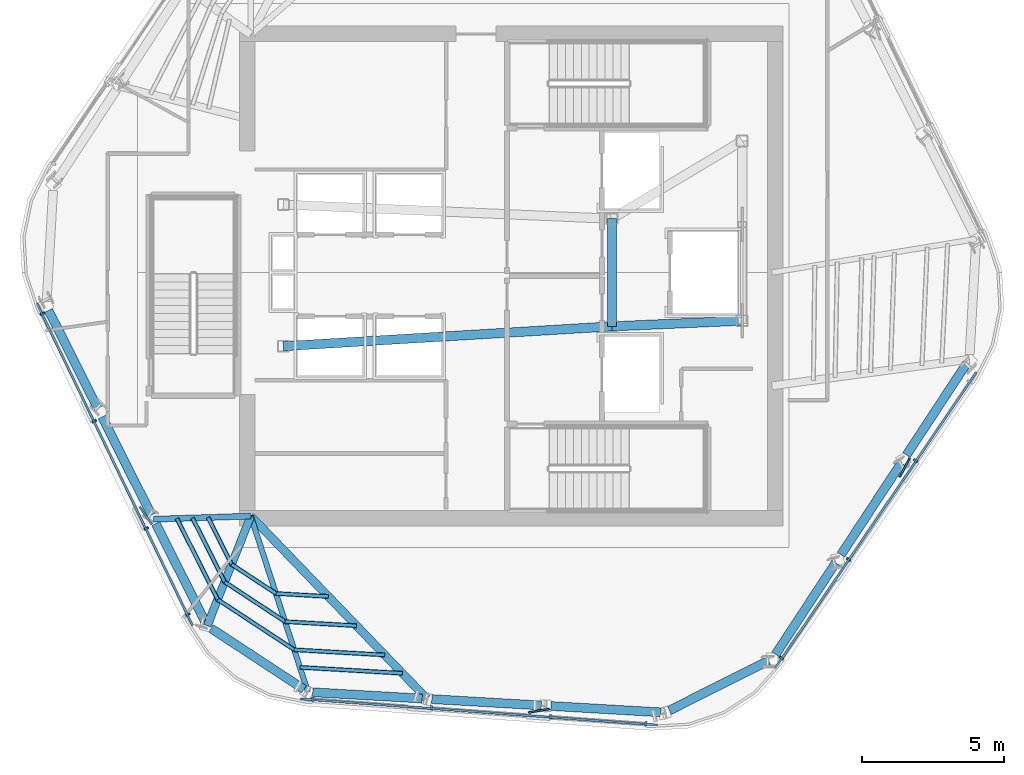
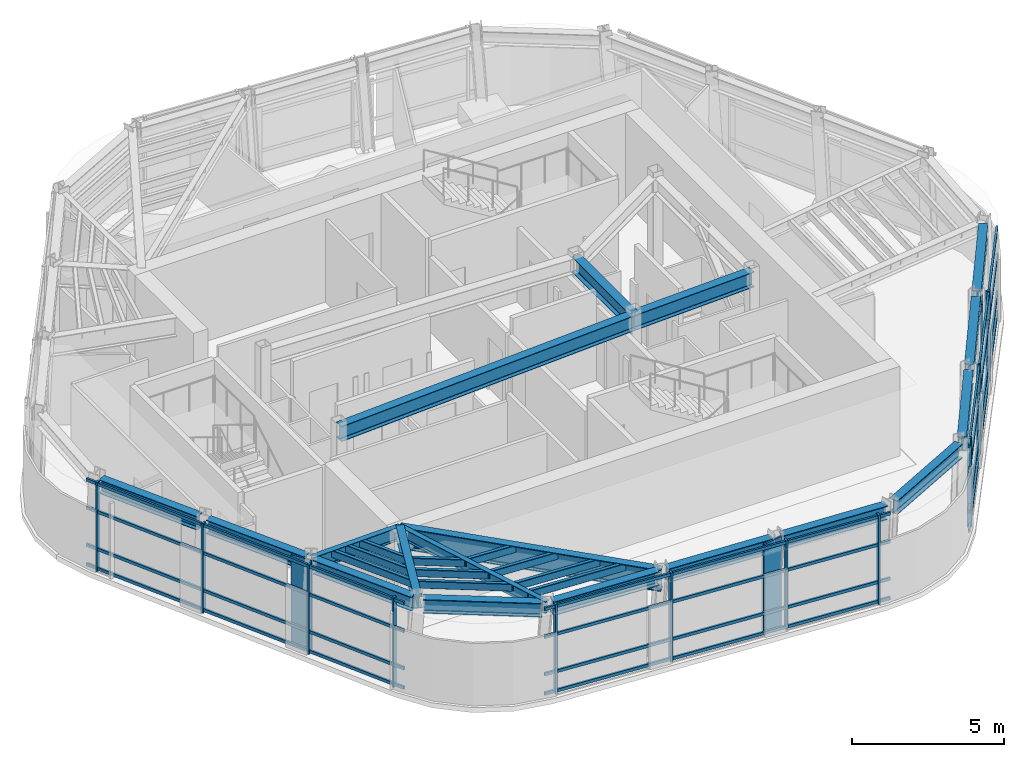
# One storey, part 2 of 11: 36 members, 18 beams, 3 elements without a shape of their own.
"""IFC4 building model written with IfcOpenShell, lengths in metres."""

from ifc_helpers import new_model, si_unit, direction, frame, origin, origin_2d, place, context, subcontext, project, spatial, rectangle, hollow_rectangle, i_section, extrude, material, layer, layer_set, material_profile, profile_set, type_object, element, aggregate, save


model = new_model("IFC4")

# Units and contexts
model_context = context("Model", 3, precision=1e-05, world=origin(), true_north=direction((0.0, 1.0)))
body_context = subcontext(model_context, "Body", "Model", "MODEL_VIEW")
ifc_project = project(units=[si_unit("LENGTHUNIT", "METRE"), si_unit("AREAUNIT", "SQUARE_METRE"), si_unit("VOLUMEUNIT", "CUBIC_METRE"), si_unit("PLANEANGLEUNIT", "RADIAN"), si_unit("MASSUNIT", "GRAM", prefix="KILO")], contexts=[model_context])

# Site, building, storey
site_placement = place(None, origin())
site = spatial("IfcSite", under=ifc_project, at=site_placement, CompositionType="ELEMENT")
building_placement = place(site_placement, origin())
building = spatial("IfcBuilding", under=site, at=building_placement, Name="Valkerne Bourse Tower", CompositionType="ELEMENT")
storey_placement = place(building_placement, frame((0.0, 0.0, 266.0)))
storey = spatial("IfcBuildingStorey", under=building, at=storey_placement, Name="L67", CompositionType="ELEMENT", Elevation=266.0)

# Beams
ifc_material_1 = material(Name="Steel ASTM A992", Category="steel")
ifc_material_profile_1 = material_profile(ifc_material_1, i_section(OverallWidth=0.1904296875, OverallDepth=0.457275390625, WebThickness=0.009033203125, FlangeThickness=0.014404296875, FilletRadius=0.01513671875, at=origin_2d()), Name="W18X50")
ifc_profile_set_1 = profile_set([ifc_material_profile_1], Name="Steel ASTM A992")
beam_type_1 = type_object("IfcBeamType", Name="BM-W18X50", PredefinedType="JOIST", material=ifc_profile_set_1)
beam_1_placement = place(storey_placement, frame((39.61767578125, 12.190185546875, 3.371337890625), z_axis=(-0.309005749697, 0.951060169839, 0.0), x_axis=(-0.951060169839, -0.309005749697, 0.0)))
element("IfcBeam", 1, at=beam_1_placement, inside=storey, type_object=beam_type_1, Name="L67 Radial Composite Floor Beam 12", PredefinedType="JOIST", context=body_context, shape_type="SweptSolid", body=[
    extrude(i_section(OverallWidth=0.1904296875, OverallDepth=0.457275390625, WebThickness=0.009033203125, FlangeThickness=0.014404296875, FilletRadius=0.01513671875, at=origin_2d()), origin(), (0.0, 0.0, 1.0), 6.529296875),
])
ifc_material_profile_2 = material_profile(ifc_material_1, i_section(OverallWidth=0.279296875, OverallDepth=0.46240234375, WebThickness=0.0107421875, FlangeThickness=0.017333984375, FilletRadius=0.017822265625, at=origin_2d()), Name="W18X76")
ifc_profile_set_2 = profile_set([ifc_material_profile_2], Name="Steel ASTM A992")
beam_type_2 = type_object("IfcBeamType", Name="BM-W18X76", PredefinedType="BEAM", material=ifc_profile_set_2)
beam_2_placement = place(storey_placement, frame((36.060791015625, 14.526611328125, 3.368896484375), z_axis=(0.369319407169, 0.929302520974, 0.0), x_axis=(-0.929302520974, 0.369319407169, 0.0)))
element("IfcBeam", 2, at=beam_2_placement, inside=storey, type_object=beam_type_2, Name="L67 Radial Composite Floor Beam 11", PredefinedType="BEAM", context=body_context, shape_type="SweptSolid", body=[
    extrude(i_section(OverallWidth=0.279296875, OverallDepth=0.46240234375, WebThickness=0.0107421875, FlangeThickness=0.017333984375, FilletRadius=0.017822265625, at=origin_2d()), origin(), (0.0, 0.0, 1.0), 4.16796875),
])
ifc_material_profile_3 = material_profile(ifc_material_1, i_section(OverallWidth=0.31494140625, OverallDepth=0.5537109375, WebThickness=0.0166015625, FlangeThickness=0.026123046875, FilletRadius=0.020263671875, at=origin_2d()), Name="W21X132")
ifc_profile_set_3 = profile_set([ifc_material_profile_3], Name="Steel ASTM A992")
beam_type_3 = type_object("IfcBeamType", Name="BM-W21X132", PredefinedType="BEAM", material=ifc_profile_set_3)
for number, where, z_axis, x_axis, name in (
    (3, (30.45947265625, 25.663330078125, 3.322998046875), (0.449330993887, -0.893365355234, 0.0), (0.893365355234, 0.449330993887, 0.0), "L67 Hexagonal Spandrel Ring Beam 08"),
    (4, (32.35205078125, 21.900390625, 3.322998046875), (0.449330993887, -0.893365355234, 0.0), (0.893365355234, 0.449330993887, 0.0), "L67 Hexagonal Spandrel Ring Beam 09"),
):
    element("IfcBeam", number, at=place(storey_placement, frame(where, z_axis=z_axis, x_axis=x_axis)), inside=storey, type_object=beam_type_3, Name=name, PredefinedType="BEAM", context=body_context, shape_type="SweptSolid", body=[
        extrude(i_section(OverallWidth=0.31494140625, OverallDepth=0.5537109375, WebThickness=0.0166015625, FlangeThickness=0.026123046875, FilletRadius=0.020263671875, at=origin_2d()), origin(), (0.0, 0.0, 1.0), 3.871826171875),
    ])
beam_3_placement = place(storey_placement, frame((34.244384765625, 18.1376953125, 3.322998046875), z_axis=(0.44935600462, -0.893352775286, 0.0), x_axis=(0.893352775286, 0.44935600462, 0.0)))
element("IfcBeam", 5, at=beam_3_placement, inside=storey, type_object=beam_type_3, Name="L67 Hexagonal Spandrel Ring Beam 10", PredefinedType="BEAM", context=body_context, shape_type="SweptSolid", body=[
    extrude(i_section(OverallWidth=0.31494140625, OverallDepth=0.5537109375, WebThickness=0.0166015625, FlangeThickness=0.026123046875, FilletRadius=0.020263671875, at=origin_2d()), origin(), (0.0, 0.0, 1.0), 3.8720703125),
])
beam_4_placement = place(storey_placement, frame((36.202880859375, 14.433349609375, 3.322998046875), z_axis=(0.835791315198, -0.54904724518, 0.0), x_axis=(0.54904724518, 0.835791315198, 0.0)))
element("IfcBeam", 6, at=beam_4_placement, inside=storey, type_object=beam_type_3, Name="L67 Hexagonal Spandrel Ring Beam 11", PredefinedType="BEAM", context=body_context, shape_type="SweptSolid", body=[
    extrude(i_section(OverallWidth=0.31494140625, OverallDepth=0.5537109375, WebThickness=0.0166015625, FlangeThickness=0.026123046875, FilletRadius=0.020263671875, at=origin_2d()), origin(), (0.0, 0.0, 1.0), 3.915771484375),
])
beam_5_placement = place(storey_placement, frame((39.787353515625, 12.180419921875, 3.322998046875), z_axis=(0.998341544959, -0.057568738113, 0.0), x_axis=(0.057568738113, 0.998341544959, 0.0)))
element("IfcBeam", 7, at=beam_5_placement, inside=storey, type_object=beam_type_3, Name="L67 Hexagonal Spandrel Ring Beam 12", PredefinedType="BEAM", context=body_context, shape_type="SweptSolid", body=[
    extrude(i_section(OverallWidth=0.31494140625, OverallDepth=0.5537109375, WebThickness=0.0166015625, FlangeThickness=0.026123046875, FilletRadius=0.020263671875, at=origin_2d()), origin(), (0.0, 0.0, 1.0), 3.871826171875),
])
for number, where, z_axis, x_axis, name in (
    (8, (43.9921875, 11.93798828125, 3.322998046875), (0.998341753912, -0.057565114394, 0.0), (0.057565114394, 0.998341753912, 0.0), "L67 Hexagonal Spandrel Ring Beam 13"),
    (9, (48.197265625, 11.6953125, 3.322998046875), (0.998345375439, -0.057502272477, 0.0), (0.057502272477, 0.998345375439, 0.0), "L67 Hexagonal Spandrel Ring Beam 14"),
):
    element("IfcBeam", number, at=place(storey_placement, frame(where, z_axis=z_axis, x_axis=x_axis)), inside=storey, type_object=beam_type_3, Name=name, PredefinedType="BEAM", context=body_context, shape_type="SweptSolid", body=[
        extrude(i_section(OverallWidth=0.31494140625, OverallDepth=0.5537109375, WebThickness=0.0166015625, FlangeThickness=0.026123046875, FilletRadius=0.020263671875, at=origin_2d()), origin(), (0.0, 0.0, 1.0), 3.8720703125),
    ])
beam_6_placement = place(storey_placement, frame((52.384521484375, 11.539306640625, 3.322998046875), z_axis=(0.89337722642, 0.449307390674, 0.0), x_axis=(-0.449307390674, 0.89337722642, 0.0)))
element("IfcBeam", 10, at=beam_6_placement, inside=storey, type_object=beam_type_3, Name="L67 Hexagonal Spandrel Ring Beam 15", PredefinedType="BEAM", context=body_context, shape_type="SweptSolid", body=[
    extrude(i_section(OverallWidth=0.31494140625, OverallDepth=0.5537109375, WebThickness=0.0166015625, FlangeThickness=0.026123046875, FilletRadius=0.020263671875, at=origin_2d()), origin(), (0.0, 0.0, 1.0), 3.91552734375),
])
for number, where, z_axis, x_axis, name in (
    (11, (56.127685546875, 13.51708984375, 3.322998046875), (0.549070935457, 0.835775752123, 0.0), (-0.835775752123, 0.549070935457, 0.0), "L67 Hexagonal Spandrel Ring Beam 16"),
    (12, (58.440185546875, 17.037353515625, 3.322998046875), (0.549042001335, 0.835794759956, 0.0), (-0.835794759956, 0.549042001335, 0.0), "L67 Hexagonal Spandrel Ring Beam 17"),
    (13, (60.752685546875, 20.557861328125, 3.322998046875), (0.549042001335, 0.835794759956, 0.0), (-0.835794759956, 0.549042001335, 0.0), "L67 Hexagonal Spandrel Ring Beam 18"),
):
    element("IfcBeam", number, at=place(storey_placement, frame(where, z_axis=z_axis, x_axis=x_axis)), inside=storey, type_object=beam_type_3, Name=name, PredefinedType="BEAM", context=body_context, shape_type="SweptSolid", body=[
        extrude(i_section(OverallWidth=0.31494140625, OverallDepth=0.5537109375, WebThickness=0.0166015625, FlangeThickness=0.026123046875, FilletRadius=0.020263671875, at=origin_2d()), origin(), (0.0, 0.0, 1.0), 3.8720703125),
    ])
ifc_material_profile_4 = material_profile(ifc_material_1, i_section(OverallWidth=0.209228515625, OverallDepth=0.533447265625, WebThickness=0.01025390625, FlangeThickness=0.015625, FilletRadius=0.017822265625, at=origin_2d()), Name="W21X62")
ifc_profile_set_4 = profile_set([ifc_material_profile_4], Name="Steel ASTM A992")
beam_type_4 = type_object("IfcBeamType", Name="BM-W21X62", PredefinedType="JOIST", material=ifc_profile_set_4)
beam_7_placement = place(storey_placement, frame((34.168212890625, 18.28955078125, 3.333251953125), z_axis=(0.999483435007, 0.032138188278, 0.0), x_axis=(-0.032138188278, 0.999483435007, 0.0)))
element("IfcBeam", 14, at=beam_7_placement, inside=storey, type_object=beam_type_4, Name="L67 Radial Composite Floor Beam 10", PredefinedType="JOIST", context=body_context, shape_type="SweptSolid", body=[
    extrude(i_section(OverallWidth=0.209228515625, OverallDepth=0.533447265625, WebThickness=0.01025390625, FlangeThickness=0.015625, FilletRadius=0.017822265625, at=origin_2d()), origin(), (0.0, 0.0, 1.0), 3.43359375),
])
ifc_material_profile_5 = material_profile(ifc_material_1, i_section(OverallWidth=0.3251953125, OverallDepth=0.612060546875, WebThickness=0.0126953125, FlangeThickness=0.01904296875, FilletRadius=0.020263671875, at=origin_2d()), Name="W24X104")
ifc_profile_set_5 = profile_set([ifc_material_profile_5], Name="Steel ASTM A992")
beam_type_5 = type_object("IfcBeamType", Name="BM-W24X104", PredefinedType="BEAM", material=ifc_profile_set_5)
beam_8_placement = place(storey_placement, frame((50.35009765625, 25.10009765625, 3.2939453125), z_axis=(0.0, 1.0, 0.0), x_axis=(-1.0, 0.0, 0.0)))
element("IfcBeam", 15, at=beam_8_placement, inside=storey, type_object=beam_type_5, Name="L67 Core Frame Girder CG-CE", PredefinedType="BEAM", context=body_context, shape_type="SweptSolid", body=[
    extrude(i_section(OverallWidth=0.3251953125, OverallDepth=0.612060546875, WebThickness=0.0126953125, FlangeThickness=0.01904296875, FilletRadius=0.020263671875, at=origin_2d()), origin(), (0.0, 0.0, 1.0), 3.7998046875),
])
beam_9_placement = place(storey_placement, frame((50.35009765625, 25.10009765625, 3.2939453125), z_axis=(0.999056558506, 0.043428019819, 0.0), x_axis=(-0.043428019819, 0.999056558506, 0.0)))
element("IfcBeam", 16, at=beam_9_placement, inside=storey, type_object=beam_type_5, Name="L67 Core Frame Girder CG-SE", PredefinedType="BEAM", context=body_context, shape_type="SweptSolid", body=[
    extrude(i_section(OverallWidth=0.3251953125, OverallDepth=0.612060546875, WebThickness=0.0126953125, FlangeThickness=0.01904296875, FilletRadius=0.020263671875, at=origin_2d()), origin(), (0.0, 0.0, 1.0), 4.604248046875),
])
beam_10_placement = place(storey_placement, frame((38.75, 24.39990234375, 3.2939453125), z_axis=(0.998183228389, 0.060251494276, 0.0), x_axis=(-0.060251494276, 0.998183228389, 0.0)))
element("IfcBeam", 17, at=beam_10_placement, inside=storey, type_object=beam_type_5, Name="L67 Core Frame Girder CG-SW", PredefinedType="BEAM", context=body_context, shape_type="SweptSolid", body=[
    extrude(i_section(OverallWidth=0.3251953125, OverallDepth=0.612060546875, WebThickness=0.0126953125, FlangeThickness=0.01904296875, FilletRadius=0.020263671875, at=origin_2d()), origin(), (0.0, 0.0, 1.0), 11.62109375),
])
ifc_material_profile_6 = material_profile(ifc_material_1, i_section(OverallWidth=0.2919921875, OverallDepth=0.8583984375, WebThickness=0.01708984375, FlangeThickness=0.031005859375, FilletRadius=0.025390625, at=origin_2d()), Name="W33X169")
ifc_profile_set_6 = profile_set([ifc_material_profile_6], Name="Steel ASTM A992")
beam_type_6 = type_object("IfcBeamType", Name="BM-W33X169", PredefinedType="BEAM", material=ifc_profile_set_6)
beam_11_placement = place(storey_placement, frame((43.822509765625, 11.94775390625, 3.170654296875), z_axis=(-0.694175893151, 0.719805410766, 0.0), x_axis=(-0.719805410766, -0.694175893151, 0.0)))
element("IfcBeam", 18, at=beam_11_placement, inside=storey, type_object=beam_type_6, Name="L67 Radial Composite Floor Beam 13", PredefinedType="BEAM", context=body_context, shape_type="SweptSolid", body=[
    extrude(i_section(OverallWidth=0.2919921875, OverallDepth=0.8583984375, WebThickness=0.01708984375, FlangeThickness=0.031005859375, FilletRadius=0.025390625, at=origin_2d()), origin(), (0.0, 0.0, 1.0), 8.963623046875),
])

# Curtain wall, members
ifc_material_2 = material(Name="Aluminium AA 6063-T6", Category="aluminium")
ifc_layer = layer(ifc_material_2, 0.2451171875)
ifc_layer_set = layer_set([ifc_layer], Name="Aluminium AA 6063-T6")
curtain_wall_type = type_object("IfcCurtainWallType", Name="CW-05", PredefinedType="NOTDEFINED", material=ifc_layer_set)
curtain_wall_1_placement = place(storey_placement, origin())
curtain_wall_1 = element("IfcCurtainWall", 19, at=curtain_wall_1_placement, inside=storey, type_object=curtain_wall_type, Name="L67 Hexagonal Stick Curtain Wall Face 3", PredefinedType="NOTDEFINED")
ifc_material_profile_7 = material_profile(ifc_material_2, rectangle(XDim=0.074951171875, YDim=0.159912109375, at=origin_2d()), Name="CWM-75X160")
ifc_profile_set_7 = profile_set([ifc_material_profile_7], Name="Aluminium AA 6063-T6")
member_type_1 = type_object("IfcMemberType", Name="CW-MUL-160X75", PredefinedType="MULLION", material=ifc_profile_set_7)
member_1_placement = place(storey_placement, frame((30.2431640625, 25.547119140625, 0.0), z_axis=(0.0, 0.0, 1.0), x_axis=(0.435236340533, -0.900316237707, 0.0)))
member_1 = element("IfcMember", 20, at=member_1_placement, type_object=member_type_1, Name="CW-L67-F3 Jamb Mullion 00A", PredefinedType="MULLION", context=body_context, shape_type="SweptSolid", body=[
    extrude(rectangle(XDim=0.074951171875, YDim=0.159912109375, at=origin_2d()), origin(), (0.0, 0.0, 1.0), 3.60009765625),
])
member_2_placement = place(storey_placement, frame((32.076416015625, 21.7548828125, 0.0), z_axis=(0.0, 0.0, 1.0), x_axis=(0.435236340533, -0.900316237707, 0.0)))
member_2 = element("IfcMember", 21, at=member_2_placement, type_object=member_type_1, Name="CW-L67-F3 Jamb Mullion 01A", PredefinedType="MULLION", context=body_context, shape_type="SweptSolid", body=[
    extrude(rectangle(XDim=0.074951171875, YDim=0.159912109375, at=origin_2d()), origin(), (0.0, 0.0, 1.0), 3.60009765625),
])
member_3_placement = place(storey_placement, frame((33.90966796875, 17.962890625, 0.0), z_axis=(0.0, 0.0, 1.0), x_axis=(0.435227037453, -0.900320735, 0.0)))
member_3 = element("IfcMember", 22, at=member_3_placement, type_object=member_type_1, Name="CW-L67-F3 Jamb Mullion 02A", PredefinedType="MULLION", context=body_context, shape_type="SweptSolid", body=[
    extrude(rectangle(XDim=0.074951171875, YDim=0.159912109375, at=origin_2d()), origin(), (0.0, 0.0, 1.0), 3.60009765625),
])
member_4_placement = place(storey_placement, frame((35.377197265625, 14.927001953125, 0.0), z_axis=(0.0, 0.0, 1.0), x_axis=(0.435227037453, -0.900320735, 0.0)))
member_4 = element("IfcMember", 23, at=member_4_placement, type_object=member_type_1, Name="CW-L67-F3 Jamb Mullion 02B", PredefinedType="MULLION", context=body_context, shape_type="SweptSolid", body=[
    extrude(rectangle(XDim=0.074951171875, YDim=0.159912109375, at=origin_2d()), origin(), (0.0, 0.0, 1.0), 3.60009765625),
])

curtain_wall_2_placement = place(storey_placement, origin())
curtain_wall_2 = element("IfcCurtainWall", 24, at=curtain_wall_2_placement, inside=storey, type_object=curtain_wall_type, Name="L67 Hexagonal Stick Curtain Wall Face 4", PredefinedType="NOTDEFINED")
member_5_placement = place(storey_placement, frame((39.77978515625, 11.93505859375, 0.0), z_axis=(0.0, 0.0, 1.0), x_axis=(0.997314132558, -0.073242890438, 0.0)))
member_5 = element("IfcMember", 25, at=member_5_placement, type_object=member_type_1, Name="CW-L67-F4 Jamb Mullion 00A", PredefinedType="MULLION", context=body_context, shape_type="SweptSolid", body=[
    extrude(rectangle(XDim=0.074951171875, YDim=0.159912109375, at=origin_2d()), origin(), (0.0, 0.0, 1.0), 3.60009765625),
])
member_6_placement = place(storey_placement, frame((43.98046875, 11.62646484375, 0.0), z_axis=(0.0, 0.0, 1.0), x_axis=(0.997314132558, -0.073242890438, 0.0)))
member_6 = element("IfcMember", 26, at=member_6_placement, type_object=member_type_1, Name="CW-L67-F4 Jamb Mullion 01A", PredefinedType="MULLION", context=body_context, shape_type="SweptSolid", body=[
    extrude(rectangle(XDim=0.074951171875, YDim=0.159912109375, at=origin_2d()), origin(), (0.0, 0.0, 1.0), 3.60009765625),
])
member_7_placement = place(storey_placement, frame((48.18115234375, 11.318115234375, 0.0), z_axis=(0.0, 0.0, 1.0), x_axis=(0.997315866516, -0.073219276126, 0.0)))
member_7 = element("IfcMember", 27, at=member_7_placement, type_object=member_type_1, Name="CW-L67-F4 Jamb Mullion 02A", PredefinedType="MULLION", context=body_context, shape_type="SweptSolid", body=[
    extrude(rectangle(XDim=0.074951171875, YDim=0.159912109375, at=origin_2d()), origin(), (0.0, 0.0, 1.0), 3.60009765625),
])
member_8_placement = place(storey_placement, frame((51.544189453125, 11.071044921875, 0.0), z_axis=(0.0, 0.0, 1.0), x_axis=(0.997315866516, -0.073219276126, 0.0)))
member_8 = element("IfcMember", 28, at=member_8_placement, type_object=member_type_1, Name="CW-L67-F4 Jamb Mullion 02B", PredefinedType="MULLION", context=body_context, shape_type="SweptSolid", body=[
    extrude(rectangle(XDim=0.074951171875, YDim=0.159912109375, at=origin_2d()), origin(), (0.0, 0.0, 1.0), 3.60009765625),
])

curtain_wall_3_placement = place(storey_placement, origin())
curtain_wall_3 = element("IfcCurtainWall", 29, at=curtain_wall_3_placement, inside=storey, type_object=curtain_wall_type, Name="L67 Hexagonal Stick Curtain Wall Face 5", PredefinedType="NOTDEFINED")
member_9_placement = place(storey_placement, frame((56.336669921875, 13.3876953125, 0.0), z_axis=(0.0, 0.0, 1.0), x_axis=(0.562080117496, 0.827082790001, 0.0)))
member_9 = element("IfcMember", 30, at=member_9_placement, type_object=member_type_1, Name="CW-L67-F5 Jamb Mullion 00A", PredefinedType="MULLION", context=body_context, shape_type="SweptSolid", body=[
    extrude(rectangle(XDim=0.074951171875, YDim=0.159912109375, at=origin_2d()), origin(), (0.0, 0.0, 1.0), 3.60009765625),
])
member_10_placement = place(storey_placement, frame((58.7041015625, 16.87158203125, 0.0), z_axis=(0.0, 0.0, 1.0), x_axis=(0.562080117496, 0.827082790001, 0.0)))
member_10 = element("IfcMember", 31, at=member_10_placement, type_object=member_type_1, Name="CW-L67-F5 Jamb Mullion 01A", PredefinedType="MULLION", context=body_context, shape_type="SweptSolid", body=[
    extrude(rectangle(XDim=0.074951171875, YDim=0.159912109375, at=origin_2d()), origin(), (0.0, 0.0, 1.0), 3.60009765625),
])
member_11_placement = place(storey_placement, frame((61.071533203125, 20.355224609375, 0.0), z_axis=(0.0, 0.0, 1.0), x_axis=(0.562091154776, 0.827075289029, 0.0)))
member_11 = element("IfcMember", 32, at=member_11_placement, type_object=member_type_1, Name="CW-L67-F5 Jamb Mullion 02A", PredefinedType="MULLION", context=body_context, shape_type="SweptSolid", body=[
    extrude(rectangle(XDim=0.074951171875, YDim=0.159912109375, at=origin_2d()), origin(), (0.0, 0.0, 1.0), 3.60009765625),
])

# Member
ifc_material_profile_8 = material_profile(ifc_material_2, rectangle(XDim=0.074951171875, YDim=0.1201171875, at=origin_2d()), Name="CWT-75X120")
ifc_profile_set_8 = profile_set([ifc_material_profile_8], Name="Aluminium AA 6063-T6")
member_type_2 = type_object("IfcMemberType", Name="CW-TRN-120X75", PredefinedType="USERDEFINED", material=ifc_profile_set_8)
member_12_placement = place(storey_placement, frame((30.04248046875, 25.91650390625, 0.1201171875), z_axis=(0.43522556557, -0.900321446526, 0.0), x_axis=(0.900321446526, 0.43522556557, 0.0)))
member_12 = element("IfcMember", 33, at=member_12_placement, type_object=member_type_2, Name="CW-L67-F3 Continuous Face Transom 1", ObjectType="TRANSOM", PredefinedType="USERDEFINED", context=body_context, shape_type="SweptSolid", body=[
    extrude(rectangle(XDim=0.074951171875, YDim=0.1201171875, at=origin_2d()), origin(), (0.0, 0.0, 1.0), 12.635986328125),
])

member_13_placement = place(storey_placement, frame((30.04248046875, 25.91650390625, 0.89990234375), z_axis=(0.43522556557, -0.900321446526, 0.0), x_axis=(0.900321446526, 0.43522556557, 0.0)))
member_13 = element("IfcMember", 34, at=member_13_placement, type_object=member_type_2, Name="CW-L67-F3 Continuous Face Transom 2", ObjectType="TRANSOM", PredefinedType="USERDEFINED", context=body_context, shape_type="SweptSolid", body=[
    extrude(rectangle(XDim=0.074951171875, YDim=0.1201171875, at=origin_2d()), origin(), (0.0, 0.0, 1.0), 12.635986328125),
])

member_14_placement = place(storey_placement, frame((30.04248046875, 25.91650390625, 2.39990234375), z_axis=(0.43522556557, -0.900321446526, 0.0), x_axis=(0.900321446526, 0.43522556557, 0.0)))
member_14 = element("IfcMember", 35, at=member_14_placement, type_object=member_type_2, Name="CW-L67-F3 Continuous Face Transom 3", ObjectType="TRANSOM", PredefinedType="USERDEFINED", context=body_context, shape_type="SweptSolid", body=[
    extrude(rectangle(XDim=0.074951171875, YDim=0.1201171875, at=origin_2d()), origin(), (0.0, 0.0, 1.0), 12.635986328125),
])

member_15_placement = place(storey_placement, frame((30.04248046875, 25.91650390625, 3.52001953125), z_axis=(0.43522556557, -0.900321446526, 0.0), x_axis=(0.900321446526, 0.43522556557, 0.0)))
member_15 = element("IfcMember", 36, at=member_15_placement, type_object=member_type_2, Name="CW-L67-F3 Continuous Face Transom 4", ObjectType="TRANSOM", PredefinedType="USERDEFINED", context=body_context, shape_type="SweptSolid", body=[
    extrude(rectangle(XDim=0.074951171875, YDim=0.1201171875, at=origin_2d()), origin(), (0.0, 0.0, 1.0), 12.635986328125),
])

aggregate(curtain_wall_1, [member_12, member_13, member_14, member_15, member_1, member_2, member_3, member_4])

member_16_placement = place(storey_placement, frame((39.359375, 11.94580078125, 0.1201171875), z_axis=(0.997315308342, -0.073226878581, 0.0), x_axis=(0.073226878581, 0.997315308342, 0.0)))
member_16 = element("IfcMember", 37, at=member_16_placement, type_object=member_type_2, Name="CW-L67-F4 Continuous Face Transom 1", ObjectType="TRANSOM", PredefinedType="USERDEFINED", context=body_context, shape_type="SweptSolid", body=[
    extrude(rectangle(XDim=0.074951171875, YDim=0.1201171875, at=origin_2d()), origin(), (0.0, 0.0, 1.0), 12.635986328125),
])

member_17_placement = place(storey_placement, frame((39.359375, 11.94580078125, 0.89990234375), z_axis=(0.997315308342, -0.073226878581, 0.0), x_axis=(0.073226878581, 0.997315308342, 0.0)))
member_17 = element("IfcMember", 38, at=member_17_placement, type_object=member_type_2, Name="CW-L67-F4 Continuous Face Transom 2", ObjectType="TRANSOM", PredefinedType="USERDEFINED", context=body_context, shape_type="SweptSolid", body=[
    extrude(rectangle(XDim=0.074951171875, YDim=0.1201171875, at=origin_2d()), origin(), (0.0, 0.0, 1.0), 12.635986328125),
])

member_18_placement = place(storey_placement, frame((39.359375, 11.94580078125, 2.39990234375), z_axis=(0.997315308342, -0.073226878581, 0.0), x_axis=(0.073226878581, 0.997315308342, 0.0)))
member_18 = element("IfcMember", 39, at=member_18_placement, type_object=member_type_2, Name="CW-L67-F4 Continuous Face Transom 3", ObjectType="TRANSOM", PredefinedType="USERDEFINED", context=body_context, shape_type="SweptSolid", body=[
    extrude(rectangle(XDim=0.074951171875, YDim=0.1201171875, at=origin_2d()), origin(), (0.0, 0.0, 1.0), 12.635986328125),
])

member_19_placement = place(storey_placement, frame((39.359375, 11.94580078125, 3.52001953125), z_axis=(0.997315308342, -0.073226878581, 0.0), x_axis=(0.073226878581, 0.997315308342, 0.0)))
member_19 = element("IfcMember", 40, at=member_19_placement, type_object=member_type_2, Name="CW-L67-F4 Continuous Face Transom 4", ObjectType="TRANSOM", PredefinedType="USERDEFINED", context=body_context, shape_type="SweptSolid", body=[
    extrude(rectangle(XDim=0.074951171875, YDim=0.1201171875, at=origin_2d()), origin(), (0.0, 0.0, 1.0), 12.635986328125),
])

aggregate(curtain_wall_2, [member_16, member_17, member_18, member_19, member_5, member_6, member_7, member_8])

member_20_placement = place(storey_placement, frame((56.116943359375, 13.029052734375, 0.1201171875), z_axis=(0.562088569947, 0.827077045707, 0.0), x_axis=(-0.827077045707, 0.562088569947, 0.0)))
member_20 = element("IfcMember", 41, at=member_20_placement, type_object=member_type_2, Name="CW-L67-F5 Continuous Face Transom 1", ObjectType="TRANSOM", PredefinedType="USERDEFINED", context=body_context, shape_type="SweptSolid", body=[
    extrude(rectangle(XDim=0.074951171875, YDim=0.1201171875, at=origin_2d()), origin(), (0.0, 0.0, 1.0), 12.635986328125),
])

member_21_placement = place(storey_placement, frame((56.116943359375, 13.029052734375, 0.89990234375), z_axis=(0.562088569947, 0.827077045707, 0.0), x_axis=(-0.827077045707, 0.562088569947, 0.0)))
member_21 = element("IfcMember", 42, at=member_21_placement, type_object=member_type_2, Name="CW-L67-F5 Continuous Face Transom 2", ObjectType="TRANSOM", PredefinedType="USERDEFINED", context=body_context, shape_type="SweptSolid", body=[
    extrude(rectangle(XDim=0.074951171875, YDim=0.1201171875, at=origin_2d()), origin(), (0.0, 0.0, 1.0), 12.635986328125),
])

member_22_placement = place(storey_placement, frame((56.116943359375, 13.029052734375, 2.39990234375), z_axis=(0.562088569947, 0.827077045707, 0.0), x_axis=(-0.827077045707, 0.562088569947, 0.0)))
member_22 = element("IfcMember", 43, at=member_22_placement, type_object=member_type_2, Name="CW-L67-F5 Continuous Face Transom 3", ObjectType="TRANSOM", PredefinedType="USERDEFINED", context=body_context, shape_type="SweptSolid", body=[
    extrude(rectangle(XDim=0.074951171875, YDim=0.1201171875, at=origin_2d()), origin(), (0.0, 0.0, 1.0), 12.635986328125),
])

member_23_placement = place(storey_placement, frame((56.116943359375, 13.029052734375, 3.52001953125), z_axis=(0.562088569947, 0.827077045707, 0.0), x_axis=(-0.827077045707, 0.562088569947, 0.0)))
member_23 = element("IfcMember", 44, at=member_23_placement, type_object=member_type_2, Name="CW-L67-F5 Continuous Face Transom 4", ObjectType="TRANSOM", PredefinedType="USERDEFINED", context=body_context, shape_type="SweptSolid", body=[
    extrude(rectangle(XDim=0.074951171875, YDim=0.1201171875, at=origin_2d()), origin(), (0.0, 0.0, 1.0), 12.635986328125),
])

aggregate(curtain_wall_3, [member_20, member_21, member_22, member_23, member_9, member_10, member_11])

# Members
ifc_material_3 = material(Name="Bronze Anodised Aluminium AA 6063-T6", Category="aluminium")
ifc_material_profile_9 = material_profile(ifc_material_3, rectangle(XDim=0.06494140625, YDim=0.75, at=origin_2d()), Name="FIN-65X750")
ifc_profile_set_9 = profile_set([ifc_material_profile_9], Name="Bronze Anodised Aluminium AA 6063-T6")
member_type_3 = type_object("IfcMemberType", Name="FIN-SOLAR-650", PredefinedType="USERDEFINED", material=ifc_profile_set_9)
for number, where, z_axis, x_axis, name in (
    (45, (33.888916015625, 18.41943359375, 0.00390625), (0.0, 0.0, 1.0), (-0.828178958183, -0.560463748358, 0.0), "L67 Bronze Anodised Solar Fin F3-02"),
    (46, (47.775390625, 11.5283203125, 0.00390625), (0.0, 0.0, 1.0), (0.168773428139, -0.985654873652, 0.0), "L67 Bronze Anodised Solar Fin F4-02"),
    (47, (60.6865234375, 20.10888671875, 0.00390625), (0.0, 0.0, 1.0), (0.878207209577, -0.478280354025, 0.0), "L67 Bronze Anodised Solar Fin F5-02"),
):
    element("IfcMember", number, at=place(storey_placement, frame(where, z_axis=z_axis, x_axis=x_axis)), inside=storey, type_object=member_type_3, Name=name, ObjectType="SOLAR_FIN", PredefinedType="USERDEFINED", context=body_context, shape_type="SweptSolid", body=[
        extrude(rectangle(XDim=0.06494140625, YDim=0.75, at=origin_2d()), origin(), (0.0, 0.0, 1.0), 3.592041015625),
    ])
ifc_material_4 = material(Name="Steel ASTM A500 Grade C", Category="steel")
ifc_material_profile_10 = material_profile(ifc_material_4, hollow_rectangle(XDim=0.14990234375, YDim=0.300048828125, WallThickness=0.012451171875, OuterFilletRadius=0.02490234375, at=origin_2d()), Name="HSS300X150X12.5")
ifc_profile_set_10 = profile_set([ifc_material_profile_10], Name="Steel ASTM A500 Grade C")
member_type_4 = type_object("IfcMemberType", Name="MBR-HSS300X150X12.5", PredefinedType="PURLIN", material=ifc_profile_set_10)
member_24_placement = place(storey_placement, frame((36.090087890625, 18.351318359375, 3.43994140625), z_axis=(0.449267715768, -0.893397179069, 0.0), x_axis=(0.893397179069, 0.449267715768, 0.0)))
element("IfcMember", 48, at=member_24_placement, inside=storey, type_object=member_type_4, Name="L67 Secondary Composite Floor Purlin K-10", PredefinedType="PURLIN", context=body_context, shape_type="SweptSolid", body=[
    extrude(hollow_rectangle(XDim=0.14990234375, YDim=0.300048828125, WallThickness=0.012451171875, OuterFilletRadius=0.02490234375, at=origin_2d()), origin(), (0.0, 0.0, 1.0), 1.85302734375),
])
member_25_placement = place(storey_placement, frame((36.922607421875, 16.69580078125, 3.43994140625), z_axis=(0.835761886964, -0.549092039915, 0.0), x_axis=(0.549092039915, 0.835761886964, 0.0)))
element("IfcMember", 49, at=member_25_placement, inside=storey, type_object=member_type_4, Name="L67 Secondary Composite Floor Purlin K-11", PredefinedType="PURLIN", context=body_context, shape_type="SweptSolid", body=[
    extrude(hollow_rectangle(XDim=0.14990234375, YDim=0.300048828125, WallThickness=0.012451171875, OuterFilletRadius=0.02490234375, at=origin_2d()), origin(), (0.0, 0.0, 1.0), 1.872802734375),
])
member_26_placement = place(storey_placement, frame((38.48779296875, 15.66748046875, 3.43994140625), z_axis=(0.998348961546, -0.057439977202, 0.0), x_axis=(0.057439977202, 0.998348961546, 0.0)))
element("IfcMember", 50, at=member_26_placement, inside=storey, type_object=member_type_4, Name="L67 Secondary Composite Floor Purlin K-12", PredefinedType="PURLIN", context=body_context, shape_type="SweptSolid", body=[
    extrude(hollow_rectangle(XDim=0.14990234375, YDim=0.300048828125, WallThickness=0.012451171875, OuterFilletRadius=0.02490234375, at=origin_2d()), origin(), (0.0, 0.0, 1.0), 1.853271484375),
])
member_27_placement = place(storey_placement, frame((34.99169921875, 18.31591796875, 3.43994140625), z_axis=(0.449378330375, -0.893341545093, 0.0), x_axis=(0.893341545093, 0.449378330375, 0.0)))
element("IfcMember", 51, at=member_27_placement, inside=storey, type_object=member_type_4, Name="L67 Secondary Composite Floor Purlin O-10", PredefinedType="PURLIN", context=body_context, shape_type="SweptSolid", body=[
    extrude(hollow_rectangle(XDim=0.14990234375, YDim=0.300048828125, WallThickness=0.012451171875, OuterFilletRadius=0.02490234375, at=origin_2d()), origin(), (0.0, 0.0, 1.0), 3.200927734375),
])
member_28_placement = place(storey_placement, frame((36.43017578125, 15.456298828125, 3.43994140625), z_axis=(0.835770802381, -0.5490784697, 0.0), x_axis=(0.5490784697, 0.835770802381, 0.0)))
element("IfcMember", 52, at=member_28_placement, inside=storey, type_object=member_type_4, Name="L67 Secondary Composite Floor Purlin O-11", PredefinedType="PURLIN", context=body_context, shape_type="SweptSolid", body=[
    extrude(hollow_rectangle(XDim=0.14990234375, YDim=0.300048828125, WallThickness=0.012451171875, OuterFilletRadius=0.02490234375, at=origin_2d()), origin(), (0.0, 0.0, 1.0), 3.234375),
])
member_29_placement = place(storey_placement, frame((39.13330078125, 13.680419921875, 3.43994140625), z_axis=(0.998345166388, -0.057505901868, 0.0), x_axis=(0.057505901868, 0.998345166388, 0.0)))
element("IfcMember", 53, at=member_29_placement, inside=storey, type_object=member_type_4, Name="L67 Secondary Composite Floor Purlin O-12", PredefinedType="PURLIN", context=body_context, shape_type="SweptSolid", body=[
    extrude(hollow_rectangle(XDim=0.14990234375, YDim=0.300048828125, WallThickness=0.012451171875, OuterFilletRadius=0.02490234375, at=origin_2d()), origin(), (0.0, 0.0, 1.0), 3.201171875),
])
member_30_placement = place(storey_placement, frame((35.541015625, 18.333740234375, 3.43994140625), z_axis=(0.449298996095, -0.893381448267, 0.0), x_axis=(0.893381448267, 0.449298996095, 0.0)))
element("IfcMember", 54, at=member_30_placement, inside=storey, type_object=member_type_4, Name="L67 Secondary Composite Floor Purlin Z-10", PredefinedType="PURLIN", context=body_context, shape_type="SweptSolid", body=[
    extrude(hollow_rectangle(XDim=0.14990234375, YDim=0.300048828125, WallThickness=0.012451171875, OuterFilletRadius=0.02490234375, at=origin_2d()), origin(), (0.0, 0.0, 1.0), 2.52734375),
])
member_31_placement = place(storey_placement, frame((36.676513671875, 16.075927734375, 3.43994140625), z_axis=(0.835796997532, -0.549038595107, 0.0), x_axis=(0.549038595107, 0.835796997532, 0.0)))
element("IfcMember", 55, at=member_31_placement, inside=storey, type_object=member_type_4, Name="L67 Secondary Composite Floor Purlin Z-11", PredefinedType="PURLIN", context=body_context, shape_type="SweptSolid", body=[
    extrude(hollow_rectangle(XDim=0.14990234375, YDim=0.300048828125, WallThickness=0.012451171875, OuterFilletRadius=0.02490234375, at=origin_2d()), origin(), (0.0, 0.0, 1.0), 2.55322265625),
])
member_32_placement = place(storey_placement, frame((38.810546875, 14.674072265625, 3.43994140625), z_axis=(0.998341009776, -0.057578018369, 0.0), x_axis=(0.057578018369, 0.998341009776, 0.0)))
element("IfcMember", 56, at=member_32_placement, inside=storey, type_object=member_type_4, Name="L67 Secondary Composite Floor Purlin Z-12", PredefinedType="PURLIN", context=body_context, shape_type="SweptSolid", body=[
    extrude(hollow_rectangle(XDim=0.14990234375, YDim=0.300048828125, WallThickness=0.012451171875, OuterFilletRadius=0.02490234375, at=origin_2d()), origin(), (0.0, 0.0, 1.0), 2.527099609375),
])
member_33_placement = place(storey_placement, frame((39.335205078125, 13.0595703125, 3.43994140625), z_axis=(0.998342027889, -0.057560362667, 0.0), x_axis=(0.057560362667, 0.998342027889, 0.0)))
element("IfcMember", 57, at=member_33_placement, inside=storey, type_object=member_type_4, Name="L67 Secondary Composite Floor Purlin T-12", PredefinedType="PURLIN", context=body_context, shape_type="SweptSolid", body=[
    extrude(hollow_rectangle(XDim=0.14990234375, YDim=0.300048828125, WallThickness=0.012451171875, OuterFilletRadius=0.02490234375, at=origin_2d()), origin(), (0.0, 0.0, 1.0), 3.622314453125),
])

save(model, "model.ifc")
